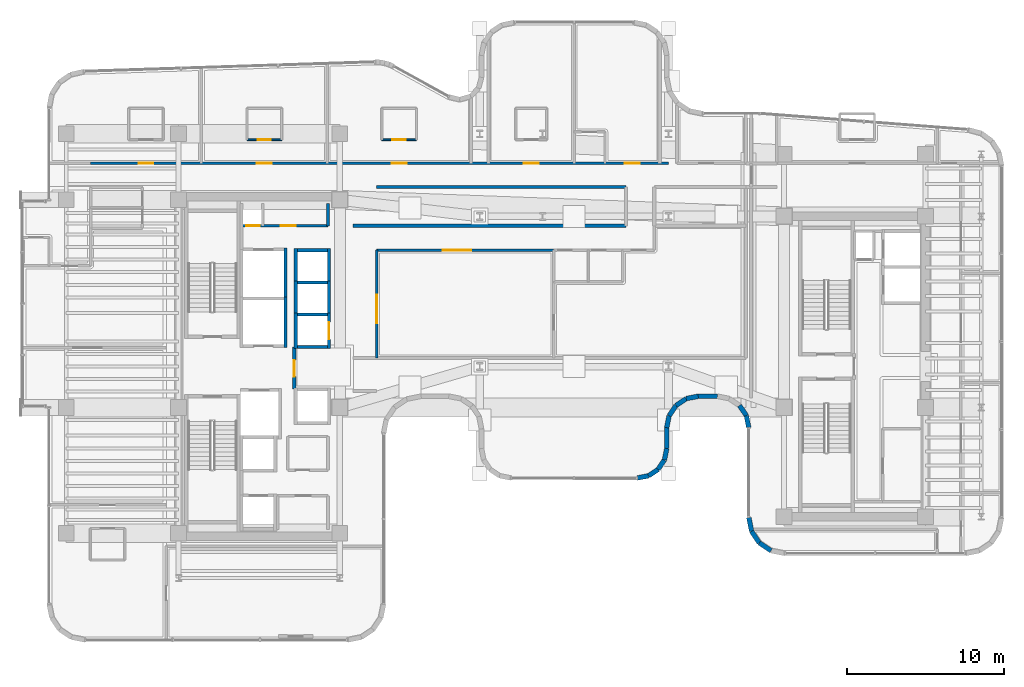
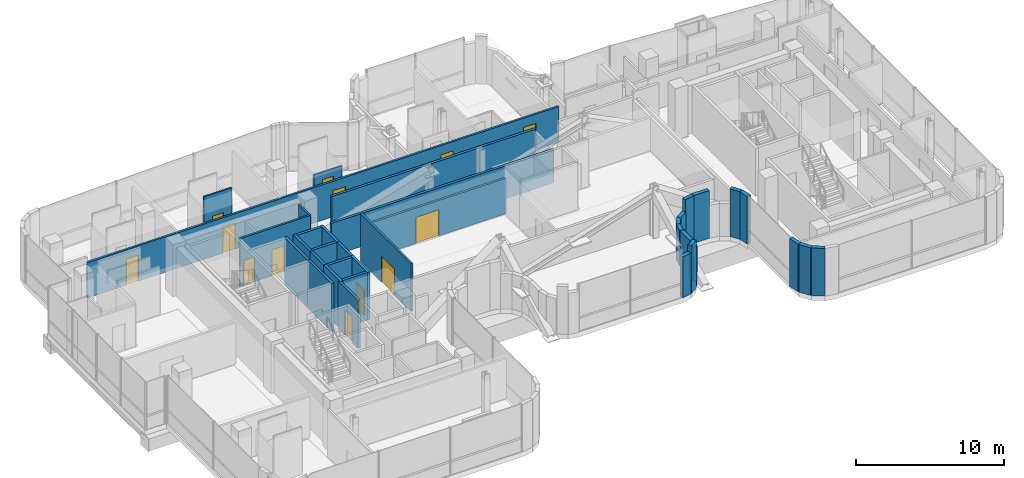
# One storey, part 28 of 37: 37 walls, 13 doors, 13 openings.
"""IFC4 building model written with IfcOpenShell, lengths in metres."""

from ifc_helpers import new_model, si_unit, direction, frame, frame_2d, origin, place, context, subcontext, project, spatial, rectangle, extrude, material, layer, layer_set, type_object, element, fill, save


model = new_model("IFC4")

# Units and contexts
model_context = context("Model", 3, precision=1e-05, world=origin(), true_north=direction((0.0, 1.0)))
body_context = subcontext(model_context, "Body", "Model", "MODEL_VIEW")
ifc_project = project(units=[si_unit("LENGTHUNIT", "METRE"), si_unit("AREAUNIT", "SQUARE_METRE"), si_unit("VOLUMEUNIT", "CUBIC_METRE"), si_unit("PLANEANGLEUNIT", "RADIAN"), si_unit("MASSUNIT", "GRAM", prefix="KILO")], contexts=[model_context])

# Site, building, storey
site_placement = place(None, origin())
site = spatial("IfcSite", under=ifc_project, at=site_placement, CompositionType="ELEMENT")
building_placement = place(site_placement, origin())
building = spatial("IfcBuilding", under=site, at=building_placement, Name="Valdorenza Pilgrim Sanctuary Tower", CompositionType="ELEMENT")
storey_placement = place(building_placement, frame((0.0, 0.0, 172.300048828125)))
storey = spatial("IfcBuildingStorey", under=building, at=storey_placement, Name="L44", CompositionType="ELEMENT", Elevation=172.300048828125)

# Wall, openings, doors
ifc_material_1 = material(Name="Acoustic twin-stud gypsum partition", Category="gypsum")
ifc_layer_1 = layer(ifc_material_1, 0.159912109375, Name="Acoustic twin-stud gypsum partition")
ifc_layer_set_1 = layer_set([ifc_layer_1], Name="Acoustic twin-stud gypsum partition")
wall_type_1 = type_object("IfcWallType", Name="WAL-COR-160", PredefinedType="PARTITIONING", material=ifc_layer_set_1)
wall_1_placement = place(storey_placement, frame((-18.64990234375, 8.949951171875, 0.0), z_axis=(0.0, 0.0, 1.0), x_axis=(1.0, 0.0, 0.0)))
wall_1 = element("IfcWall", 1, at=wall_1_placement, inside=storey, type_object=wall_type_1, Name="L44 Core A North Service South Wall", PredefinedType="PARTITIONING", context=body_context, shape_type="SweptSolid", body=[
    extrude(rectangle(XDim=5.5, YDim=0.159912109375, at=frame_2d((2.75, 0.0))), origin(), (0.0, 0.0, 1.0), 3.929931640625),
])
opening_1_placement = place(wall_1_placement, frame((0.300048828125, 0.0, 0.0)))
opening_1 = element("IfcOpeningElement", 2, at=opening_1_placement, cuts=wall_1, Name="Opening DR-RS1", PredefinedType="OPENING", context=body_context, shape_type="SweptSolid", body=[
    extrude(rectangle(XDim=0.85009765625, YDim=2.050048828125, at=frame_2d((0.425048828125, 1.02490234375))), frame((0.0, 0.0947265625, 0.0), z_axis=(0.0, -1.0, 0.0), x_axis=(1.0, 0.0, 0.0)), (0.0, 0.0, 1.0), 0.189697265625),
])
opening_2_placement = place(wall_1_placement, frame((2.5, 0.0, 0.0)))
opening_2 = element("IfcOpeningElement", 3, at=opening_2_placement, cuts=wall_1, Name="Opening DR-UN1", PredefinedType="OPENING", context=body_context, shape_type="SweptSolid", body=[
    extrude(rectangle(XDim=0.949951171875, YDim=2.14990234375, at=frame_2d((0.47509765625, 1.074951171875))), frame((0.0, 0.0947265625, 0.0), z_axis=(0.0, -1.0, 0.0), x_axis=(1.0, 0.0, 0.0)), (0.0, 0.0, 1.0), 0.189697265625),
])
ifc_material_2 = material(Name="Painted galvanized steel", Category="steel")
door_type_1 = type_object("IfcDoorType", Name="DR-RSR-850", OperationType="NOTDEFINED", PredefinedType="DOOR", material=ifc_material_2)
door_1_placement = place(opening_1_placement, origin())
door_1 = element("IfcDoor", 4, at=door_1_placement, inside=storey, type_object=door_type_1, Name="L44 Core Electrical and Telecom Riser Door", OperationType="SINGLE_SWING_LEFT", OverallHeight=2.050048828125, OverallWidth=0.85009765625, PredefinedType="DOOR", context=body_context, shape_type="SweptSolid", body=[
    extrude(rectangle(XDim=0.85009765625, YDim=2.050048828125, at=frame_2d((0.425048828125, 1.02490234375))), frame((0.0, 0.02490234375, 0.0), z_axis=(0.0, -1.0, 0.0), x_axis=(1.0, 0.0, 0.0)), (0.0, 0.0, 1.0), 0.050048828125),
])
fill(opening_1, door_1)
ifc_material_3 = material(Name="Solid-core European oak timber", Category="wood")
door_type_2 = type_object("IfcDoorType", Name="DR-UNIT-950", OperationType="NOTDEFINED", PredefinedType="DOOR", material=ifc_material_3)
door_2_placement = place(opening_2_placement, origin())
door_2 = element("IfcDoor", 5, at=door_2_placement, inside=storey, type_object=door_type_2, Name="L44 Housekeeping and Clean Linen Room Door", OperationType="SINGLE_SWING_RIGHT", OverallHeight=2.14990234375, OverallWidth=0.949951171875, PredefinedType="DOOR", context=body_context, shape_type="SweptSolid", body=[
    extrude(rectangle(XDim=0.949951171875, YDim=2.14990234375, at=frame_2d((0.47509765625, 1.074951171875))), frame((0.0, 0.02490234375, 0.0), z_axis=(0.0, -1.0, 0.0), x_axis=(1.0, 0.0, 0.0)), (0.0, 0.0, 1.0), 0.050048828125),
])
fill(opening_2, door_2)

# Wall
wall_2_placement = place(storey_placement, frame((-13.14990234375, 8.949951171875, 0.0), z_axis=(0.0, 0.0, 1.0), x_axis=(0.0, 1.0, 0.0)))
element("IfcWall", 6, at=wall_2_placement, inside=storey, type_object=wall_type_1, Name="L44 Core A North Service East Wall", PredefinedType="PARTITIONING", context=body_context, shape_type="SweptSolid", body=[
    extrude(rectangle(XDim=1.429931640625, YDim=0.159912109375, at=frame_2d((0.71484375, 0.0))), origin(), (0.0, 0.0, 1.0), 3.929931640625),
])

# Wall, openings, doors
wall_3_placement = place(storey_placement, frame((-28.25, 12.919921875, 0.0), z_axis=(0.0, 0.0, 1.0), x_axis=(1.0, 0.0, 0.0)))
wall_3 = element("IfcWall", 7, at=wall_3_placement, inside=storey, type_object=wall_type_1, Name="L44 North Corridor Wall", PredefinedType="PARTITIONING", context=body_context, shape_type="SweptSolid", body=[
    extrude(rectangle(XDim=36.75, YDim=0.159912109375, at=frame_2d((18.375, 0.0))), origin(), (0.0, 0.0, 1.0), 2.9150390625),
])
opening_3_placement = place(wall_3_placement, frame((3.050048828125, 0.0, 0.0)))
opening_3 = element("IfcOpeningElement", 8, at=opening_3_placement, cuts=wall_3, Name="Opening DR-UN1", PredefinedType="OPENING", context=body_context, shape_type="SweptSolid", body=[
    extrude(rectangle(XDim=0.949951171875, YDim=2.14990234375, at=frame_2d((0.47509765625, 1.074951171875))), frame((0.0, 0.0947265625, 0.0), z_axis=(0.0, -1.0, 0.0), x_axis=(1.0, 0.0, 0.0)), (0.0, 0.0, 1.0), 0.189697265625),
])
opening_4_placement = place(wall_3_placement, frame((10.574951171875, 0.0, 0.0)))
opening_4 = element("IfcOpeningElement", 9, at=opening_4_placement, cuts=wall_3, Name="Opening DR-UN1", PredefinedType="OPENING", context=body_context, shape_type="SweptSolid", body=[
    extrude(rectangle(XDim=0.949951171875, YDim=2.14990234375, at=frame_2d((0.47509765625, 1.074951171875))), frame((0.0, 0.0947265625, 0.0), z_axis=(0.0, -1.0, 0.0), x_axis=(1.0, 0.0, 0.0)), (0.0, 0.0, 1.0), 0.189697265625),
])
opening_5_placement = place(wall_3_placement, frame((19.14990234375, 0.0, 0.0)))
opening_5 = element("IfcOpeningElement", 10, at=opening_5_placement, cuts=wall_3, Name="Opening DR-UN1", PredefinedType="OPENING", context=body_context, shape_type="SweptSolid", body=[
    extrude(rectangle(XDim=0.949951171875, YDim=2.14990234375, at=frame_2d((0.47509765625, 1.074951171875))), frame((0.0, 0.0947265625, 0.0), z_axis=(0.0, -1.0, 0.0), x_axis=(1.0, 0.0, 0.0)), (0.0, 0.0, 1.0), 0.189697265625),
])
opening_6_placement = place(wall_3_placement, frame((27.550048828125, 0.0, 0.0)))
opening_6 = element("IfcOpeningElement", 11, at=opening_6_placement, cuts=wall_3, Name="Opening DR-UN1", PredefinedType="OPENING", context=body_context, shape_type="SweptSolid", body=[
    extrude(rectangle(XDim=0.949951171875, YDim=2.14990234375, at=frame_2d((0.47509765625, 1.074951171875))), frame((0.0, 0.0947265625, 0.0), z_axis=(0.0, -1.0, 0.0), x_axis=(1.0, 0.0, 0.0)), (0.0, 0.0, 1.0), 0.189697265625),
])
opening_7_placement = place(wall_3_placement, frame((33.98095703125, 0.0, 0.0)))
opening_7 = element("IfcOpeningElement", 12, at=opening_7_placement, cuts=wall_3, Name="Opening DR-UN1", PredefinedType="OPENING", context=body_context, shape_type="SweptSolid", body=[
    extrude(rectangle(XDim=0.949951171875, YDim=2.14990234375, at=frame_2d((0.47509765625, 1.074951171875))), frame((0.0, 0.0947265625, 0.0), z_axis=(0.0, -1.0, 0.0), x_axis=(1.0, 0.0, 0.0)), (0.0, 0.0, 1.0), 0.189697265625),
])
door_3_placement = place(opening_3_placement, origin())
door_3 = element("IfcDoor", 13, at=door_3_placement, inside=storey, type_object=door_type_2, Name="L44 North Guest Room L44-N1 Entrance Door", OperationType="SINGLE_SWING_RIGHT", OverallHeight=2.14990234375, OverallWidth=0.949951171875, PredefinedType="DOOR", context=body_context, shape_type="SweptSolid", body=[
    extrude(rectangle(XDim=0.949951171875, YDim=2.14990234375, at=frame_2d((0.47509765625, 1.074951171875))), frame((0.0, 0.02490234375, 0.0), z_axis=(0.0, -1.0, 0.0), x_axis=(1.0, 0.0, 0.0)), (0.0, 0.0, 1.0), 0.050048828125),
])
fill(opening_3, door_3)
door_4_placement = place(opening_4_placement, origin())
door_4 = element("IfcDoor", 14, at=door_4_placement, inside=storey, type_object=door_type_2, Name="L44 North Guest Room L44-N2 Entrance Door", OperationType="SINGLE_SWING_RIGHT", OverallHeight=2.14990234375, OverallWidth=0.949951171875, PredefinedType="DOOR", context=body_context, shape_type="SweptSolid", body=[
    extrude(rectangle(XDim=0.949951171875, YDim=2.14990234375, at=frame_2d((0.47509765625, 1.074951171875))), frame((0.0, 0.02490234375, 0.0), z_axis=(0.0, -1.0, 0.0), x_axis=(1.0, 0.0, 0.0)), (0.0, 0.0, 1.0), 0.050048828125),
])
fill(opening_4, door_4)
door_5_placement = place(opening_5_placement, origin())
door_5 = element("IfcDoor", 15, at=door_5_placement, inside=storey, type_object=door_type_2, Name="L44 North Guest Room L44-N3 Entrance Door", OperationType="SINGLE_SWING_RIGHT", OverallHeight=2.14990234375, OverallWidth=0.949951171875, PredefinedType="DOOR", context=body_context, shape_type="SweptSolid", body=[
    extrude(rectangle(XDim=0.949951171875, YDim=2.14990234375, at=frame_2d((0.47509765625, 1.074951171875))), frame((0.0, 0.02490234375, 0.0), z_axis=(0.0, -1.0, 0.0), x_axis=(1.0, 0.0, 0.0)), (0.0, 0.0, 1.0), 0.050048828125),
])
fill(opening_5, door_5)
door_6_placement = place(opening_6_placement, origin())
door_6 = element("IfcDoor", 16, at=door_6_placement, inside=storey, type_object=door_type_2, Name="L44 North Guest Room L44-N4 Entrance Door", OperationType="SINGLE_SWING_RIGHT", OverallHeight=2.14990234375, OverallWidth=0.949951171875, PredefinedType="DOOR", context=body_context, shape_type="SweptSolid", body=[
    extrude(rectangle(XDim=0.949951171875, YDim=2.14990234375, at=frame_2d((0.47509765625, 1.074951171875))), frame((0.0, 0.02490234375, 0.0), z_axis=(0.0, -1.0, 0.0), x_axis=(1.0, 0.0, 0.0)), (0.0, 0.0, 1.0), 0.050048828125),
])
fill(opening_6, door_6)
door_7_placement = place(opening_7_placement, origin())
door_7 = element("IfcDoor", 17, at=door_7_placement, inside=storey, type_object=door_type_2, Name="L44 North Guest Room L44-N5 Entrance Door", OperationType="SINGLE_SWING_RIGHT", OverallHeight=2.14990234375, OverallWidth=0.949951171875, PredefinedType="DOOR", context=body_context, shape_type="SweptSolid", body=[
    extrude(rectangle(XDim=0.949951171875, YDim=2.14990234375, at=frame_2d((0.47509765625, 1.074951171875))), frame((0.0, 0.02490234375, 0.0), z_axis=(0.0, -1.0, 0.0), x_axis=(1.0, 0.0, 0.0)), (0.0, 0.0, 1.0), 0.050048828125),
])
fill(opening_7, door_7)

# Wall, opening, door
wall_4_placement = place(storey_placement, frame((-10.050048828125, 0.550048828125, 0.0), z_axis=(0.0, 0.0, 1.0), x_axis=(0.0, 1.0, 0.0)))
wall_4 = element("IfcWall", 18, at=wall_4_placement, inside=storey, type_object=wall_type_1, Name="L44 L44 Prayer Hall West Wall", PredefinedType="PARTITIONING", context=body_context, shape_type="SweptSolid", body=[
    extrude(rectangle(XDim=6.849853515625, YDim=0.159912109375, at=frame_2d((3.4248046875, 0.0))), origin(), (0.0, 0.0, 1.0), 3.929931640625),
])
opening_8_placement = place(wall_4_placement, frame((2.199951171875, 0.0, 0.0)))
opening_8 = element("IfcOpeningElement", 19, at=opening_8_placement, cuts=wall_4, Name="Opening DR-HL1", PredefinedType="OPENING", context=body_context, shape_type="SweptSolid", body=[
    extrude(rectangle(XDim=1.800048828125, YDim=2.14990234375, at=frame_2d((0.89990234375, 1.074951171875))), frame((0.0, 0.0947265625, 0.0), z_axis=(0.0, -1.0, 0.0), x_axis=(1.0, 0.0, 0.0)), (0.0, 0.0, 1.0), 0.189697265625),
])
ifc_material_4 = material(Name="Acoustic oak and vision-glass double door", Category="glass")
door_type_3 = type_object("IfcDoorType", Name="DR-HALL-1800", OperationType="NOTDEFINED", PredefinedType="DOOR", material=ifc_material_4)
door_8_placement = place(opening_8_placement, origin())
door_8 = element("IfcDoor", 20, at=door_8_placement, inside=storey, type_object=door_type_3, Name="L44 Congregational Prayer Hall West Door", OperationType="DOUBLE_DOOR_SINGLE_SWING", OverallHeight=2.14990234375, OverallWidth=1.800048828125, PredefinedType="DOOR", context=body_context, shape_type="SweptSolid", body=[
    extrude(rectangle(XDim=1.800048828125, YDim=2.14990234375, at=frame_2d((0.89990234375, 1.074951171875))), frame((0.0, 0.02490234375, 0.0), z_axis=(0.0, -1.0, 0.0), x_axis=(1.0, 0.0, 0.0)), (0.0, 0.0, 1.0), 0.050048828125),
])
fill(opening_8, door_8)

wall_5_placement = place(storey_placement, frame((-10.050048828125, 7.39990234375, 0.0), z_axis=(0.0, 0.0, 1.0), x_axis=(1.0, 0.0, 0.0)))
wall_5 = element("IfcWall", 21, at=wall_5_placement, inside=storey, type_object=wall_type_1, Name="L44 L44 Prayer Hall North Corridor Wall", PredefinedType="PARTITIONING", context=body_context, shape_type="SweptSolid", body=[
    extrude(rectangle(XDim=11.25, YDim=0.159912109375, at=frame_2d((5.625, 0.0))), origin(), (0.0, 0.0, 1.0), 2.9150390625),
])
opening_9_placement = place(wall_5_placement, frame((4.199951171875, 0.0, 0.0)))
opening_9 = element("IfcOpeningElement", 22, at=opening_9_placement, cuts=wall_5, Name="Opening DR-HL1", PredefinedType="OPENING", context=body_context, shape_type="SweptSolid", body=[
    extrude(rectangle(XDim=1.800048828125, YDim=2.14990234375, at=frame_2d((0.89990234375, 1.074951171875))), frame((0.0, 0.0947265625, 0.0), z_axis=(0.0, -1.0, 0.0), x_axis=(1.0, 0.0, 0.0)), (0.0, 0.0, 1.0), 0.189697265625),
])
door_9_placement = place(opening_9_placement, frame((1.800048828125, 0.0, 0.0), z_axis=(0.0, 0.0, 1.0), x_axis=(-1.0, 0.0, 0.0)))
door_9 = element("IfcDoor", 23, at=door_9_placement, inside=storey, type_object=door_type_3, Name="L44 Congregational Prayer Hall North Door", OperationType="DOUBLE_DOOR_SINGLE_SWING", OverallHeight=2.14990234375, OverallWidth=1.800048828125, PredefinedType="DOOR", context=body_context, shape_type="SweptSolid", body=[
    extrude(rectangle(XDim=1.800048828125, YDim=2.14990234375, at=frame_2d((0.89990234375, 1.074951171875))), frame((0.0, 0.02490234375, 0.0), z_axis=(0.0, -1.0, 0.0), x_axis=(1.0, 0.0, 0.0)), (0.0, 0.0, 1.0), 0.050048828125),
])
fill(opening_9, door_9)

# Walls
ifc_material_5 = material(Name="Honed travertine limestone", Category="masonry")
ifc_layer_2 = layer(ifc_material_5, 0.300048828125, Name="Honed travertine limestone")
ifc_layer_set_2 = layer_set([ifc_layer_2], Name="Honed travertine limestone")
wall_type_2 = type_object("IfcWallType", Name="WAL-EXT-300", PredefinedType="SOLIDWALL", material=ifc_layer_set_2)
for number, where, z_axis, x_axis, name in (
    (24, (15.0244140625, -11.713623046875, 0.0), (0.0, 0.0, 1.0), (-0.831502848374, 0.555520488502, 0.0), "L44 Rounded Wind-Corner Stone Pier 44"),
    (25, (14.2822265625, -11.2177734375, 0.0), (0.0, 0.0, 1.0), (-0.555520488502, 0.831502848374, 0.0), "L44 Rounded Wind-Corner Stone Pier 45"),
):
    element("IfcWall", number, at=place(storey_placement, frame(where, z_axis=z_axis, x_axis=x_axis)), inside=storey, type_object=wall_type_2, Name=name, PredefinedType="SOLIDWALL", context=body_context, shape_type="SweptSolid", body=[
        extrude(rectangle(XDim=0.892578125, YDim=0.300048828125, at=frame_2d((0.4462890625, 0.0))), origin(), (0.0, 0.0, 1.0), 3.929931640625),
    ])
wall_6_placement = place(storey_placement, frame((13.786376953125, -10.4755859375, 0.0), z_axis=(0.0, 0.0, 1.0), x_axis=(-0.195025152871, 0.980798241101, 0.0)))
element("IfcWall", 26, at=wall_6_placement, inside=storey, type_object=wall_type_2, Name="L44 Rounded Wind-Corner Stone Pier 46", PredefinedType="SOLIDWALL", context=body_context, shape_type="SweptSolid", body=[
    extrude(rectangle(XDim=0.90380859375, YDim=0.300048828125, at=frame_2d((0.451904296875, 0.0))), origin(), (0.0, 0.0, 1.0), 3.929931640625),
])
wall_7_placement = place(storey_placement, frame((13.610107421875, -3.88916015625, 0.0), z_axis=(0.0, 0.0, 1.0), x_axis=(-0.195206365311, 0.98076219082, 0.0)))
element("IfcWall", 27, at=wall_7_placement, inside=storey, type_object=wall_type_2, Name="L44 Rounded Wind-Corner Stone Pier 48", PredefinedType="SOLIDWALL", context=body_context, shape_type="SweptSolid", body=[
    extrude(rectangle(XDim=0.774169921875, YDim=0.300048828125, at=frame_2d((0.38720703125, 0.0))), origin(), (0.0, 0.0, 1.0), 3.929931640625),
])
wall_8_placement = place(storey_placement, frame((13.458984375, -3.1298828125, 0.0), z_axis=(0.0, 0.0, 1.0), x_axis=(-0.555776307766, 0.831331880615, 0.0)))
element("IfcWall", 28, at=wall_8_placement, inside=storey, type_object=wall_type_2, Name="L44 Rounded Wind-Corner Stone Pier 49", PredefinedType="SOLIDWALL", context=body_context, shape_type="SweptSolid", body=[
    extrude(rectangle(XDim=0.784912109375, YDim=0.300048828125, at=frame_2d((0.392578125, 0.0))), origin(), (0.0, 0.0, 1.0), 3.929931640625),
])
wall_9_placement = place(storey_placement, frame((11.61083984375, -1.889892578125, 0.0), z_axis=(0.0, 0.0, 1.0), x_axis=(-1.0, 0.0, 0.0)))
element("IfcWall", 29, at=wall_9_placement, inside=storey, type_object=wall_type_2, Name="L44 Rounded Wind-Corner Stone Pier 52", PredefinedType="SOLIDWALL", context=body_context, shape_type="SweptSolid", body=[
    extrude(rectangle(XDim=1.2216796875, YDim=0.300048828125, at=frame_2d((0.61083984375, 0.0))), origin(), (0.0, 0.0, 1.0), 3.929931640625),
])
wall_10_placement = place(storey_placement, frame((10.38916015625, -1.889892578125, 0.0), z_axis=(0.0, 0.0, 1.0), x_axis=(-0.98076219082, -0.195206365311, 0.0)))
element("IfcWall", 30, at=wall_10_placement, inside=storey, type_object=wall_type_2, Name="L44 Rounded Wind-Corner Stone Pier 53", PredefinedType="SOLIDWALL", context=body_context, shape_type="SweptSolid", body=[
    extrude(rectangle(XDim=0.774169921875, YDim=0.300048828125, at=frame_2d((0.38720703125, 0.0))), origin(), (0.0, 0.0, 1.0), 3.929931640625),
])
for number, where, z_axis, x_axis, name in (
    (31, (9.6298828125, -2.041015625, 0.0), (0.0, 0.0, 1.0), (-0.831331880615, -0.555776307766, 0.0), "L44 Rounded Wind-Corner Stone Pier 54"),
    (32, (8.977294921875, -2.477294921875, 0.0), (0.0, 0.0, 1.0), (-0.555776307766, -0.831331880615, 0.0), "L44 Rounded Wind-Corner Stone Pier 55"),
):
    element("IfcWall", number, at=place(storey_placement, frame(where, z_axis=z_axis, x_axis=x_axis)), inside=storey, type_object=wall_type_2, Name=name, PredefinedType="SOLIDWALL", context=body_context, shape_type="SweptSolid", body=[
        extrude(rectangle(XDim=0.784912109375, YDim=0.300048828125, at=frame_2d((0.392578125, 0.0))), origin(), (0.0, 0.0, 1.0), 2.9150390625),
    ])
wall_11_placement = place(storey_placement, frame((8.541015625, -3.1298828125, 0.0), z_axis=(0.0, 0.0, 1.0), x_axis=(-0.195206365311, -0.98076219082, 0.0)))
element("IfcWall", 33, at=wall_11_placement, inside=storey, type_object=wall_type_2, Name="L44 Rounded Wind-Corner Stone Pier 56", PredefinedType="SOLIDWALL", context=body_context, shape_type="SweptSolid", body=[
    extrude(rectangle(XDim=0.774169921875, YDim=0.300048828125, at=frame_2d((0.38720703125, 0.0))), origin(), (0.0, 0.0, 1.0), 2.9150390625),
])
wall_12_placement = place(storey_placement, frame((8.389892578125, -3.88916015625, 0.0), z_axis=(0.0, 0.0, 1.0), x_axis=(0.0, -1.0, 0.0)))
element("IfcWall", 34, at=wall_12_placement, inside=storey, type_object=wall_type_2, Name="L44 Rounded Wind-Corner Stone Pier 57", PredefinedType="SOLIDWALL", context=body_context, shape_type="SweptSolid", body=[
    extrude(rectangle(XDim=1.323974609375, YDim=0.300048828125, at=frame_2d((0.662109375, 0.0))), origin(), (0.0, 0.0, 1.0), 2.9150390625),
])
wall_13_placement = place(storey_placement, frame((8.389892578125, -5.213134765625, 0.0), z_axis=(0.0, 0.0, 1.0), x_axis=(-0.194780446724, -0.980846867546, 0.0)))
element("IfcWall", 35, at=wall_13_placement, inside=storey, type_object=wall_type_2, Name="L44 Rounded Wind-Corner Stone Pier 58", PredefinedType="SOLIDWALL", context=body_context, shape_type="SweptSolid", body=[
    extrude(rectangle(XDim=0.73828125, YDim=0.300048828125, at=frame_2d((0.369140625, 0.0))), origin(), (0.0, 0.0, 1.0), 2.9150390625),
])
wall_14_placement = place(storey_placement, frame((8.24609375, -5.937255859375, 0.0), z_axis=(0.0, 0.0, 1.0), x_axis=(-0.555784030735, -0.83132671747, 0.0)))
element("IfcWall", 36, at=wall_14_placement, inside=storey, type_object=wall_type_2, Name="L44 Rounded Wind-Corner Stone Pier 59", PredefinedType="SOLIDWALL", context=body_context, shape_type="SweptSolid", body=[
    extrude(rectangle(XDim=0.7275390625, YDim=0.300048828125, at=frame_2d((0.36376953125, 0.0))), origin(), (0.0, 0.0, 1.0), 2.9150390625),
])
wall_15_placement = place(storey_placement, frame((7.841796875, -6.5419921875, 0.0), z_axis=(0.0, 0.0, 1.0), x_axis=(-0.831378135196, -0.555707113792, 0.0)))
element("IfcWall", 37, at=wall_15_placement, inside=storey, type_object=wall_type_2, Name="L44 Rounded Wind-Corner Stone Pier 60", PredefinedType="SOLIDWALL", context=body_context, shape_type="SweptSolid", body=[
    extrude(rectangle(XDim=0.72705078125, YDim=0.300048828125, at=frame_2d((0.363525390625, 0.0))), origin(), (0.0, 0.0, 1.0), 3.929931640625),
])
wall_16_placement = place(storey_placement, frame((7.2373046875, -6.946044921875, 0.0), z_axis=(0.0, 0.0, 1.0), x_axis=(-0.980783640462, -0.195098566376, 0.0)))
element("IfcWall", 38, at=wall_16_placement, inside=storey, type_object=wall_type_2, Name="L44 Rounded Wind-Corner Stone Pier 61", PredefinedType="SOLIDWALL", context=body_context, shape_type="SweptSolid", body=[
    extrude(rectangle(XDim=0.73828125, YDim=0.300048828125, at=frame_2d((0.369140625, 0.0))), origin(), (0.0, 0.0, 1.0), 3.3759765625),
])

# Wall, opening, door
ifc_material_6 = material(Name="Gypsum shaftwall partition", Category="gypsum")
ifc_layer_3 = layer(ifc_material_6, 0.199951171875, Name="Gypsum shaftwall partition")
ifc_layer_set_3 = layer_set([ifc_layer_3], Name="Gypsum shaftwall partition")
wall_type_3 = type_object("IfcWallType", Name="WAL-FFL-200", PredefinedType="PARTITIONING", material=ifc_layer_set_3)
wall_17_placement = place(storey_placement, frame((-15.300048828125, -1.419921875, 0.0), z_axis=(0.0, 0.0, 1.0), x_axis=(0.0, 1.0, 0.0)))
wall_17 = element("IfcWall", 39, at=wall_17_placement, inside=storey, type_object=wall_type_3, Name="L44 Core A Firefighting Lobby East Wall", PredefinedType="PARTITIONING", context=body_context, shape_type="SweptSolid", body=[
    extrude(rectangle(XDim=2.669921875, YDim=0.199951171875, at=frame_2d((1.3349609375, 0.0))), origin(), (0.0, 0.0, 1.0), 3.929931640625),
])
opening_10_placement = place(wall_17_placement, frame((0.780029296875, 0.0, 0.0)))
opening_10 = element("IfcOpeningElement", 40, at=opening_10_placement, cuts=wall_17, Name="Opening DR-FL1", PredefinedType="OPENING", context=body_context, shape_type="SweptSolid", body=[
    extrude(rectangle(XDim=1.050048828125, YDim=2.14990234375, at=frame_2d((0.52490234375, 1.074951171875))), frame((0.0, 0.11474609375, 0.0), z_axis=(0.0, -1.0, 0.0), x_axis=(1.0, 0.0, 0.0)), (0.0, 0.0, 1.0), 0.229736328125),
])
door_type_4 = type_object("IfcDoorType", Name="DR-FFL-1050", OperationType="NOTDEFINED", PredefinedType="DOOR", material=ifc_material_2)
door_10_placement = place(opening_10_placement, origin())
door_10 = element("IfcDoor", 41, at=door_10_placement, inside=storey, type_object=door_type_4, Name="L44 Core A Firefighting Lobby Door", OperationType="SINGLE_SWING_RIGHT", OverallHeight=2.14990234375, OverallWidth=1.050048828125, PredefinedType="DOOR", context=body_context, shape_type="SweptSolid", body=[
    extrude(rectangle(XDim=1.050048828125, YDim=2.14990234375, at=frame_2d((0.52490234375, 1.074951171875))), frame((0.0, 0.02490234375, 0.0), z_axis=(0.0, -1.0, 0.0), x_axis=(1.0, 0.0, 0.0)), (0.0, 0.0, 1.0), 0.050048828125),
])
fill(opening_10, door_10)

# Walls
wall_18_placement = place(storey_placement, frame((-11.550048828125, 8.949951171875, 0.0), z_axis=(0.0, 0.0, 1.0), x_axis=(1.0, 0.0, 0.0)))
element("IfcWall", 42, at=wall_18_placement, inside=storey, type_object=wall_type_3, Name="L44 L44 North Bridge Truss Chase South Wall W", PredefinedType="PARTITIONING", context=body_context, shape_type="SweptSolid", body=[
    extrude(rectangle(XDim=17.35009765625, YDim=0.199951171875, at=frame_2d((8.675048828125, 0.0))), origin(), (0.0, 0.0, 1.0), 2.71484375),
])
wall_19_placement = place(storey_placement, frame((-10.050048828125, 11.419921875, 0.0), z_axis=(0.0, 0.0, 1.0), x_axis=(1.0, 0.0, 0.0)))
element("IfcWall", 43, at=wall_19_placement, inside=storey, type_object=wall_type_3, Name="L44 L44 North Bridge Truss Chase North Wall W", PredefinedType="PARTITIONING", context=body_context, shape_type="SweptSolid", body=[
    extrude(rectangle(XDim=15.85009765625, YDim=0.199951171875, at=frame_2d((7.925048828125, 0.0))), origin(), (0.0, 0.0, 1.0), 2.9150390625),
])

# Wall, opening, door
ifc_material_7 = material(Name="Moisture-resistant gypsum partition", Category="gypsum")
ifc_layer_4 = layer(ifc_material_7, 0.1201171875, Name="Moisture-resistant gypsum partition")
ifc_layer_set_4 = layer_set([ifc_layer_4], Name="Moisture-resistant gypsum partition")
wall_type_4 = type_object("IfcWallType", Name="WAL-INT-120", PredefinedType="PARTITIONING", material=ifc_layer_set_4)
wall_20_placement = place(storey_placement, frame((-18.300048828125, 14.419921875, 0.0), z_axis=(0.0, 0.0, 1.0), x_axis=(1.0, 0.0, 0.0)))
wall_20 = element("IfcWall", 44, at=wall_20_placement, inside=storey, type_object=wall_type_4, Name="L44 North Guest Room L44-N2 En-suite Door Wall", PredefinedType="PARTITIONING", context=body_context, shape_type="SweptSolid", body=[
    extrude(rectangle(XDim=2.199951171875, YDim=0.1201171875, at=frame_2d((1.10009765625, 0.0))), origin(), (0.0, 0.0, 1.0), 3.929931640625),
])
opening_11_placement = place(wall_20_placement, frame((0.675048828125, 0.0, 0.0)))
opening_11 = element("IfcOpeningElement", 45, at=opening_11_placement, cuts=wall_20, Name="Opening DR-WC1", PredefinedType="OPENING", context=body_context, shape_type="SweptSolid", body=[
    extrude(rectangle(XDim=0.85009765625, YDim=2.10009765625, at=frame_2d((0.425048828125, 1.050048828125))), frame((0.0, 0.074951171875, 0.0), z_axis=(0.0, -1.0, 0.0), x_axis=(1.0, 0.0, 0.0)), (0.0, 0.0, 1.0), 0.14990234375),
])
ifc_material_8 = material(Name="Moisture-resistant lacquered timber", Category="wood")
door_type_5 = type_object("IfcDoorType", Name="DR-BATH-850", OperationType="NOTDEFINED", PredefinedType="DOOR", material=ifc_material_8)
door_11_placement = place(opening_11_placement, origin())
door_11 = element("IfcDoor", 46, at=door_11_placement, inside=storey, type_object=door_type_5, Name="L44 North Guest Room L44-N2 En-suite Bathroom Door", OperationType="SINGLE_SWING_LEFT", OverallHeight=2.10009765625, OverallWidth=0.85009765625, PredefinedType="DOOR", context=body_context, shape_type="SweptSolid", body=[
    extrude(rectangle(XDim=0.85009765625, YDim=2.10009765625, at=frame_2d((0.425048828125, 1.050048828125))), frame((0.0, 0.02490234375, 0.0), z_axis=(0.0, -1.0, 0.0), x_axis=(1.0, 0.0, 0.0)), (0.0, 0.0, 1.0), 0.050048828125),
])
fill(opening_11, door_11)

wall_21_placement = place(storey_placement, frame((-9.72509765625, 14.419921875, 0.0), z_axis=(0.0, 0.0, 1.0), x_axis=(1.0, 0.0, 0.0)))
wall_21 = element("IfcWall", 47, at=wall_21_placement, inside=storey, type_object=wall_type_4, Name="L44 North Guest Room L44-N3 En-suite Door Wall", PredefinedType="PARTITIONING", context=body_context, shape_type="SweptSolid", body=[
    extrude(rectangle(XDim=2.2001953125, YDim=0.1201171875, at=frame_2d((1.10009765625, 0.0))), origin(), (0.0, 0.0, 1.0), 2.71484375),
])
opening_12_placement = place(wall_21_placement, frame((0.675048828125, 0.0, 0.0)))
opening_12 = element("IfcOpeningElement", 48, at=opening_12_placement, cuts=wall_21, Name="Opening DR-WC1", PredefinedType="OPENING", context=body_context, shape_type="SweptSolid", body=[
    extrude(rectangle(XDim=0.85009765625, YDim=2.10009765625, at=frame_2d((0.425048828125, 1.050048828125))), frame((0.0, 0.074951171875, 0.0), z_axis=(0.0, -1.0, 0.0), x_axis=(1.0, 0.0, 0.0)), (0.0, 0.0, 1.0), 0.14990234375),
])
door_12_placement = place(opening_12_placement, origin())
door_12 = element("IfcDoor", 49, at=door_12_placement, inside=storey, type_object=door_type_5, Name="L44 North Guest Room L44-N3 En-suite Bathroom Door", OperationType="SINGLE_SWING_LEFT", OverallHeight=2.10009765625, OverallWidth=0.85009765625, PredefinedType="DOOR", context=body_context, shape_type="SweptSolid", body=[
    extrude(rectangle(XDim=0.85009765625, YDim=2.10009765625, at=frame_2d((0.425048828125, 1.050048828125))), frame((0.0, 0.02490234375, 0.0), z_axis=(0.0, -1.0, 0.0), x_axis=(1.0, 0.0, 0.0)), (0.0, 0.0, 1.0), 0.050048828125),
])
fill(opening_12, door_12)

# Walls
ifc_material_9 = material(Name="Autoclaved aerated concrete blockwork", Category="masonry")
ifc_layer_5 = layer(ifc_material_9, 0.199951171875, Name="Autoclaved aerated concrete blockwork")
ifc_layer_set_5 = layer_set([ifc_layer_5], Name="Autoclaved aerated concrete blockwork")
wall_type_5 = type_object("IfcWallType", Name="WAL-SHF-200", PredefinedType="MOVABLE", material=ifc_layer_set_5)
wall_22_placement = place(storey_placement, frame((-15.85009765625, 1.199951171875, 0.0), z_axis=(0.0, 0.0, 1.0), x_axis=(0.0, 1.0, 0.0)))
element("IfcWall", 50, at=wall_22_placement, inside=storey, type_object=wall_type_5, Name="L44 Lift FFL-01 Hoistway Wall East", PredefinedType="MOVABLE", context=body_context, shape_type="SweptSolid", body=[
    extrude(rectangle(XDim=3.22509765625, YDim=0.199951171875, at=frame_2d((1.612548828125, 0.0))), origin(), (0.0, 0.0, 1.0), 3.929931640625),
])
wall_23_placement = place(storey_placement, frame((-15.85009765625, 4.22509765625, 0.0), z_axis=(0.0, 0.0, 1.0), x_axis=(0.0, 1.0, 0.0)))
element("IfcWall", 51, at=wall_23_placement, inside=storey, type_object=wall_type_5, Name="L44 Lift SVL-01 Hoistway Wall East", PredefinedType="MOVABLE", context=body_context, shape_type="SweptSolid", body=[
    extrude(rectangle(XDim=3.324951171875, YDim=0.199951171875, at=frame_2d((1.66259765625, 0.0))), origin(), (0.0, 0.0, 1.0), 3.929931640625),
])
wall_24_placement = place(storey_placement, frame((-15.199951171875, 1.14990234375, 0.0), z_axis=(0.0, 0.0, 1.0), x_axis=(0.0, 1.0, 0.0)))
element("IfcWall", 52, at=wall_24_placement, inside=storey, type_object=wall_type_5, Name="L44 Lift PL-06 Hoistway Wall West", PredefinedType="MOVABLE", context=body_context, shape_type="SweptSolid", body=[
    extrude(rectangle(XDim=2.25, YDim=0.199951171875, at=frame_2d((1.125, 0.0))), origin(), (0.0, 0.0, 1.0), 3.929931640625),
])

# Wall, opening, door
wall_25_placement = place(storey_placement, frame((-13.080078125, 1.14990234375, 0.0), z_axis=(0.0, 0.0, 1.0), x_axis=(0.0, 1.0, 0.0)))
wall_25 = element("IfcWall", 53, at=wall_25_placement, inside=storey, type_object=wall_type_5, Name="L44 Lift PL-06 Hoistway Wall East", PredefinedType="MOVABLE", context=body_context, shape_type="SweptSolid", body=[
    extrude(rectangle(XDim=2.25, YDim=0.199951171875, at=frame_2d((1.125, 0.0))), origin(), (0.0, 0.0, 1.0), 3.929931640625),
])
opening_13_placement = place(wall_25_placement, frame((0.574951171875, 0.0, 0.0)))
opening_13 = element("IfcOpeningElement", 54, at=opening_13_placement, cuts=wall_25, Name="Opening LD-01", PredefinedType="OPENING", context=body_context, shape_type="SweptSolid", body=[
    extrude(rectangle(XDim=1.10009765625, YDim=2.10009765625, at=frame_2d((0.550048828125, 1.050048828125))), frame((0.0, 0.11474609375, 0.0), z_axis=(0.0, -1.0, 0.0), x_axis=(1.0, 0.0, 0.0)), (0.0, 0.0, 1.0), 0.229736328125),
])
ifc_material_10 = material(Name="Brushed stainless steel Grade 316", Category="steel")
door_type_6 = type_object("IfcDoorType", Name="DR-LFT-1100", OperationType="DOUBLE_DOOR_SLIDING", PredefinedType="DOOR", material=ifc_material_10)
door_13_placement = place(opening_13_placement, origin())
door_13 = element("IfcDoor", 55, at=door_13_placement, inside=storey, type_object=door_type_6, Name="L44 Lift PL-06 Sliding Landing Door", OperationType="DOUBLE_DOOR_SLIDING", OverallHeight=2.10009765625, OverallWidth=1.10009765625, PredefinedType="DOOR", context=body_context, shape_type="SweptSolid", body=[
    extrude(rectangle(XDim=1.10009765625, YDim=2.10009765625, at=frame_2d((0.550048828125, 1.050048828125))), frame((0.0, 0.02490234375, 0.0), z_axis=(0.0, -1.0, 0.0), x_axis=(1.0, 0.0, 0.0)), (0.0, 0.0, 1.0), 0.050048828125),
])
fill(opening_13, door_13)

# Walls
wall_26_placement = place(storey_placement, frame((-15.10009765625, 1.25, 0.0), z_axis=(0.0, 0.0, 1.0), x_axis=(1.0, 0.0, 0.0)))
element("IfcWall", 56, at=wall_26_placement, inside=storey, type_object=wall_type_5, Name="L44 Lift PL-06 Hoistway Wall South", PredefinedType="MOVABLE", context=body_context, shape_type="SweptSolid", body=[
    extrude(rectangle(XDim=1.920166015625, YDim=0.199951171875, at=frame_2d((0.9599609375, 0.0))), origin(), (0.0, 0.0, 1.0), 3.929931640625),
])
for number, where, z_axis, x_axis, name in (
    (57, (-15.199951171875, 3.199951171875, 0.0), (0.0, 0.0, 1.0), (0.0, 1.0, 0.0), "L44 Lift PL-09 Hoistway Wall West"),
    (58, (-13.080078125, 3.199951171875, 0.0), (0.0, 0.0, 1.0), (0.0, 1.0, 0.0), "L44 Lift PL-09 Hoistway Wall East"),
):
    element("IfcWall", number, at=place(storey_placement, frame(where, z_axis=z_axis, x_axis=x_axis)), inside=storey, type_object=wall_type_5, Name=name, PredefinedType="MOVABLE", context=body_context, shape_type="SweptSolid", body=[
        extrude(rectangle(XDim=2.25, YDim=0.199951171875, at=frame_2d((1.125, 0.0))), origin(), (0.0, 0.0, 1.0), 3.929931640625),
    ])
for number, where, z_axis, x_axis, name in (
    (59, (-15.10009765625, 3.300048828125, 0.0), (0.0, 0.0, 1.0), (1.0, 0.0, 0.0), "L44 Lift PL-09 Hoistway Wall South"),
    (60, (-15.10009765625, 5.35009765625, 0.0), (0.0, 0.0, 1.0), (1.0, 0.0, 0.0), "L44 Lift PL-09 Hoistway Wall North"),
):
    element("IfcWall", number, at=place(storey_placement, frame(where, z_axis=z_axis, x_axis=x_axis)), inside=storey, type_object=wall_type_5, Name=name, PredefinedType="MOVABLE", context=body_context, shape_type="SweptSolid", body=[
        extrude(rectangle(XDim=1.920166015625, YDim=0.199951171875, at=frame_2d((0.9599609375, 0.0))), origin(), (0.0, 0.0, 1.0), 3.929931640625),
    ])
for number, where, z_axis, x_axis, name in (
    (61, (-15.199951171875, 5.25, 0.0), (0.0, 0.0, 1.0), (0.0, 1.0, 0.0), "L44 Lift PL-10 Hoistway Wall West"),
    (62, (-13.080078125, 5.25, 0.0), (0.0, 0.0, 1.0), (0.0, 1.0, 0.0), "L44 Lift PL-10 Hoistway Wall East"),
):
    element("IfcWall", number, at=place(storey_placement, frame(where, z_axis=z_axis, x_axis=x_axis)), inside=storey, type_object=wall_type_5, Name=name, PredefinedType="MOVABLE", context=body_context, shape_type="SweptSolid", body=[
        extrude(rectangle(XDim=2.25, YDim=0.199951171875, at=frame_2d((1.125, 0.0))), origin(), (0.0, 0.0, 1.0), 3.929931640625),
    ])
wall_27_placement = place(storey_placement, frame((-15.10009765625, 7.39990234375, 0.0), z_axis=(0.0, 0.0, 1.0), x_axis=(1.0, 0.0, 0.0)))
element("IfcWall", 63, at=wall_27_placement, inside=storey, type_object=wall_type_5, Name="L44 Lift PL-10 Hoistway Wall North", PredefinedType="MOVABLE", context=body_context, shape_type="SweptSolid", body=[
    extrude(rectangle(XDim=1.920166015625, YDim=0.199951171875, at=frame_2d((0.9599609375, 0.0))), origin(), (0.0, 0.0, 1.0), 3.929931640625),
])

save(model, "model.ifc")
